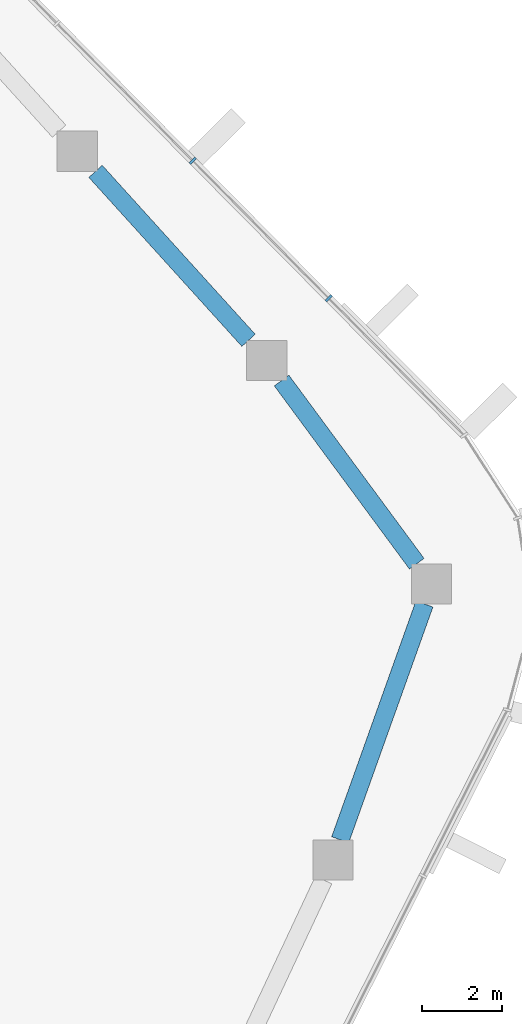
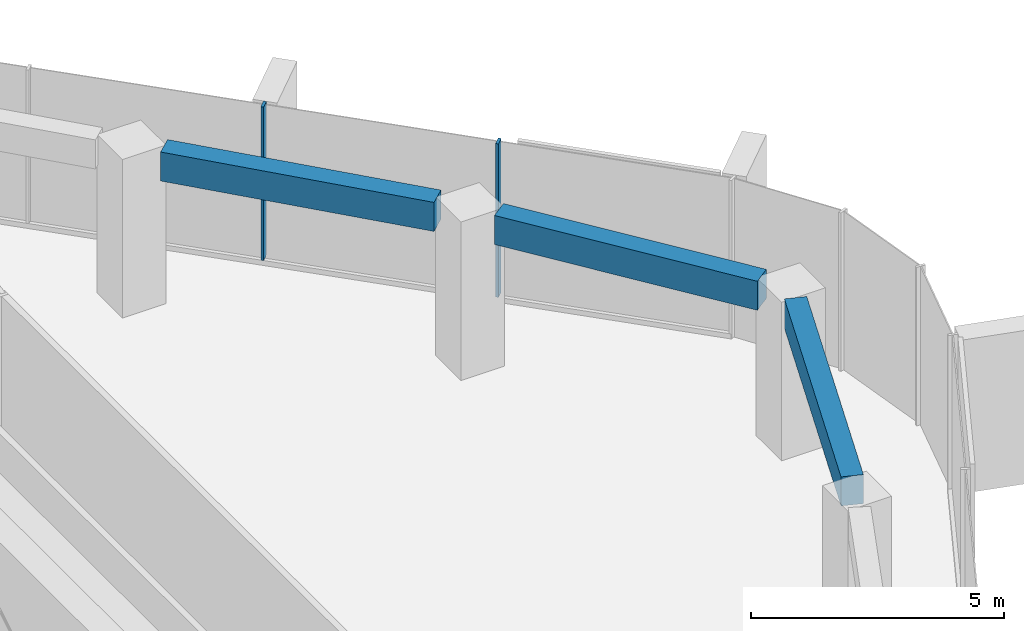
# One storey, part 8 of 23: 3 beams, 2 members, 1 element without a shape of its own.
"""IFC4 building model written with IfcOpenShell, lengths in metres."""

from ifc_helpers import new_model, si_unit, direction, frame, origin, origin_2d, place, context, subcontext, project, spatial, rectangle, extrude, material, layer, layer_set, material_profile, profile_set, type_object, element, aggregate, save


model = new_model("IFC4")

# Units and contexts
model_context = context("Model", 3, precision=1e-05, world=origin(), true_north=direction((0.0, 1.0)))
body_context = subcontext(model_context, "Body", "Model", "MODEL_VIEW")
ifc_project = project(units=[si_unit("LENGTHUNIT", "METRE"), si_unit("AREAUNIT", "SQUARE_METRE"), si_unit("VOLUMEUNIT", "CUBIC_METRE"), si_unit("PLANEANGLEUNIT", "RADIAN"), si_unit("MASSUNIT", "GRAM", prefix="KILO")], contexts=[model_context])

# Site, building, storey
site_placement = place(None, origin())
site = spatial("IfcSite", under=ifc_project, at=site_placement, CompositionType="ELEMENT")
building_placement = place(site_placement, origin())
building = spatial("IfcBuilding", under=site, at=building_placement, Name="Dongbaek Canopy Tower", CompositionType="ELEMENT")
storey_placement = place(building_placement, frame((0.0, 0.0, 323.60009765625)))
storey = spatial("IfcBuildingStorey", under=building, at=storey_placement, Name="L69", CompositionType="ELEMENT", Elevation=323.60009765625)

# Curtain wall, members
ifc_material_1 = material(Name="Aluminium 6063-T6 pale anodised", Category="aluminium")
ifc_layer = layer(ifc_material_1, 0.199951171875)
ifc_layer_set = layer_set([ifc_layer], Name="CW-1 unitised tower curtain wall")
curtain_wall_type = type_object("IfcCurtainWallType", Name="CW-1 unitised tower curtain wall", PredefinedType="NOTDEFINED", material=ifc_layer_set)
curtain_wall_placement = place(storey_placement, origin())
curtain_wall = element("IfcCurtainWall", 1, at=curtain_wall_placement, inside=storey, type_object=curtain_wall_type, Name="CW-1 curtain wall F0.1", PredefinedType="NOTDEFINED")
ifc_material_2 = material(Name="Aluminium 6063-T6 pale anodised", Category="aluminium")
ifc_material_profile_1 = material_profile(ifc_material_2, rectangle(XDim=0.199951171875, YDim=0.06005859375, at=origin_2d()), Name="CW-1 mullion 60 x 200")
ifc_profile_set_1 = profile_set([ifc_material_profile_1], Name="Aluminium 6063-T6 pale anodised")
member_type = type_object("IfcMemberType", Name="CW-1 mullion 60 x 200", PredefinedType="MULLION", material=ifc_profile_set_1)
member_1_placement = place(storey_placement, frame((28.243408203125, 13.805419921875, 0.119873046875), z_axis=(0.0, 0.0, 1.0), x_axis=(0.711035260325, 0.703156354287, 0.0)))
member_1 = element("IfcMember", 2, at=member_1_placement, type_object=member_type, Name="CW-1 mullion F0.1.2", PredefinedType="MULLION", context=body_context, shape_type="SweptSolid", body=[
    extrude(rectangle(XDim=0.199951171875, YDim=0.06005859375, at=origin_2d()), origin(), (0.0, 0.0, 1.0), 3.699951171875),
])
member_2_placement = place(storey_placement, frame((24.86279296875, 17.223876953125, 0.119873046875), z_axis=(0.0, 0.0, 1.0), x_axis=(0.711035260325, 0.703156354287, 0.0)))
member_2 = element("IfcMember", 3, at=member_2_placement, type_object=member_type, Name="CW-1 mullion F0.1.3", PredefinedType="MULLION", context=body_context, shape_type="SweptSolid", body=[
    extrude(rectangle(XDim=0.199951171875, YDim=0.06005859375, at=origin_2d()), origin(), (0.0, 0.0, 1.0), 3.699951171875),
])
aggregate(curtain_wall, [member_1, member_2])

# Beams
ifc_material_3 = material(Name="Concrete C60", Category="concrete")
ifc_material_profile_2 = material_profile(ifc_material_3, rectangle(XDim=0.449951171875, YDim=0.699951171875, at=origin_2d()), Name="RC EDGE BEAM 450x700 C60")
ifc_profile_set_2 = profile_set([ifc_material_profile_2], Name="Concrete C60")
beam_type = type_object("IfcBeamType", Name="RC EDGE BEAM 450x700 C60", PredefinedType="BEAM", material=ifc_profile_set_2)
beam_1_placement = place(storey_placement, frame((22.442626953125, 16.9619140625, 3.469970703125), z_axis=(0.671227680473, -0.741251240112, 0.0), x_axis=(0.741251240112, 0.671227680473, 0.0)))
element("IfcBeam", 4, at=beam_1_placement, inside=storey, type_object=beam_type, Name="EDGEBEAM:L69:19", PredefinedType="BEAM", context=body_context, shape_type="SweptSolid", body=[
    extrude(rectangle(XDim=0.449951171875, YDim=0.699951171875, at=origin_2d()), origin(), (0.0, 0.0, 1.0), 5.672607421875),
])
beam_2_placement = place(storey_placement, frame((27.072021484375, 11.757080078125, 3.469970703125), z_axis=(0.593735402363, -0.804660345724, 0.0), x_axis=(0.804660345724, 0.593735402363, 0.0)))
element("IfcBeam", 5, at=beam_2_placement, inside=storey, type_object=beam_type, Name="EDGEBEAM:L69:20", PredefinedType="BEAM", context=body_context, shape_type="SweptSolid", body=[
    extrude(rectangle(XDim=0.449951171875, YDim=0.699951171875, at=origin_2d()), origin(), (0.0, 0.0, 1.0), 5.665771484375),
])
beam_3_placement = place(storey_placement, frame((30.626220703125, 6.197998046875, 3.469970703125), z_axis=(-0.336443121865, -0.941703788752, 0.0), x_axis=(0.941703788752, -0.336443121865, 0.0)))
element("IfcBeam", 6, at=beam_3_placement, inside=storey, type_object=beam_type, Name="EDGEBEAM:L69:21", PredefinedType="BEAM", context=body_context, shape_type="SweptSolid", body=[
    extrude(rectangle(XDim=0.449951171875, YDim=0.699951171875, at=origin_2d()), origin(), (0.0, 0.0, 1.0), 6.231201171875),
])

save(model, "model.ifc")
